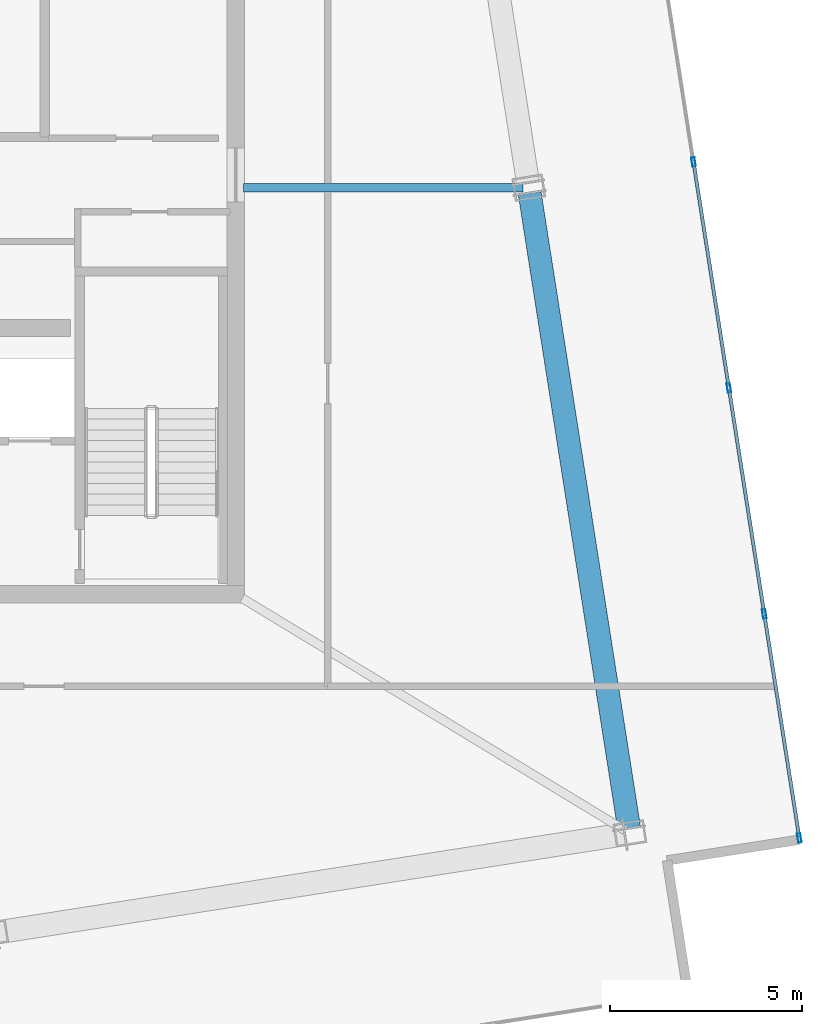
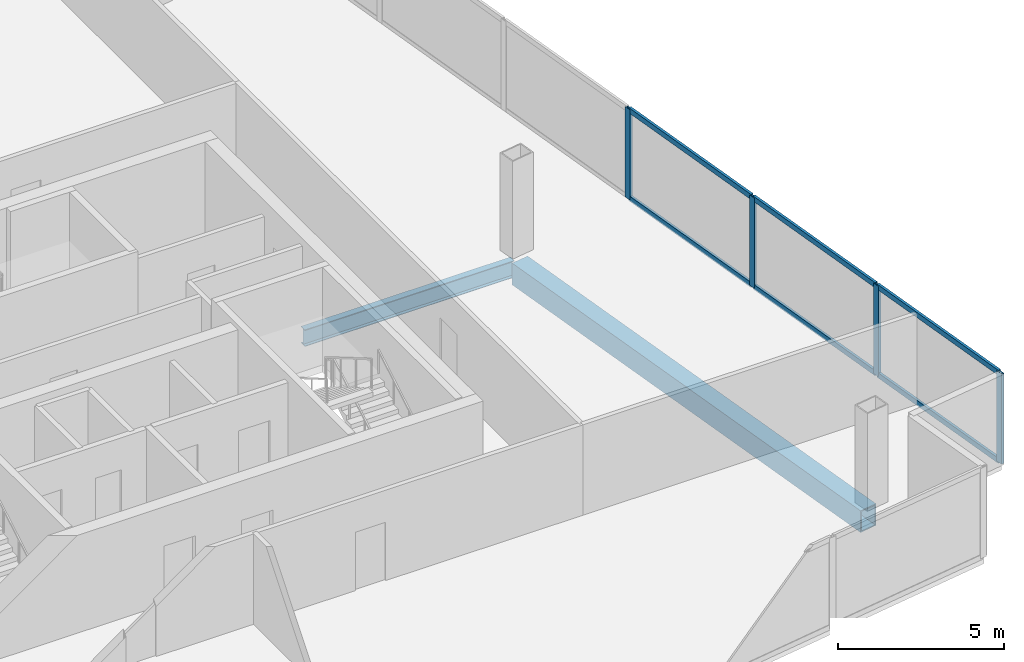
# One storey, part 7 of 17: 10 members, 2 beams, 1 element without a shape of its own.
"""IFC4 building model written with IfcOpenShell, lengths in metres."""

from ifc_helpers import new_model, si_unit, direction, frame, origin, origin_2d, place, context, subcontext, project, spatial, hollow_rectangle, i_section, extrude, material, material_profile, profile_set, type_object, element, aggregate, save


model = new_model("IFC4")

# Units and contexts
model_context = context("Model", 3, precision=1e-05, world=origin(), true_north=direction((0.0, 1.0)))
body_context = subcontext(model_context, "Body", "Model", "MODEL_VIEW")
ifc_project = project(units=[si_unit("LENGTHUNIT", "METRE"), si_unit("AREAUNIT", "SQUARE_METRE"), si_unit("VOLUMEUNIT", "CUBIC_METRE"), si_unit("PLANEANGLEUNIT", "RADIAN"), si_unit("MASSUNIT", "GRAM", prefix="KILO")], contexts=[model_context])

# Site, building, storey
site_placement = place(None, origin())
site = spatial("IfcSite", under=ifc_project, at=site_placement, CompositionType="ELEMENT")
building_placement = place(site_placement, origin())
building = spatial("IfcBuilding", under=site, at=building_placement, Name="Haldenkirk Collegiate Tower", CompositionType="ELEMENT")
storey_placement = place(building_placement, frame((0.0, 0.0, 367.800048828125)))
storey = spatial("IfcBuildingStorey", under=building, at=storey_placement, Name="L93", CompositionType="ELEMENT", Elevation=367.800048828125)

# Beams
ifc_material_1 = material(Name="Steel ASTM A992 Grade 50", Category="steel")
ifc_material_profile_1 = material_profile(ifc_material_1, i_section(OverallWidth=0.22998046875, OverallDepth=0.616943359375, WebThickness=0.01318359375, FlangeThickness=0.022216796875, at=origin_2d()), Name="W24X94")
ifc_profile_set_1 = profile_set([ifc_material_profile_1], Name="Steel ASTM A992 Grade 50")
beam_type_1 = type_object("IfcBeamType", Name="BM-GIRDER-W24X94", PredefinedType="BEAM", material=ifc_profile_set_1)
beam_1_placement = place(storey_placement, frame((52.4970703125, 28.60693359375, -0.57861328125), z_axis=(-1.0, 0.0, 0.0), x_axis=(0.0, -1.0, 0.0)))
element("IfcBeam", 1, at=beam_1_placement, inside=storey, type_object=beam_type_1, Name="L93 crown radial floor beam 2", PredefinedType="BEAM", context=body_context, shape_type="SweptSolid", body=[
    extrude(i_section(OverallWidth=0.22998046875, OverallDepth=0.616943359375, WebThickness=0.01318359375, FlangeThickness=0.022216796875, at=origin_2d()), origin(), (0.0, 0.0, 1.0), 7.297119140625),
])
ifc_material_2 = material(Name="Steel ASTM A572 Grade 50", Category="steel")
ifc_material_profile_2 = material_profile(ifc_material_2, hollow_rectangle(XDim=0.60009765625, YDim=0.800048828125, WallThickness=0.0400390625, at=origin_2d()), Name="BOX800X600X40")
ifc_profile_set_2 = profile_set([ifc_material_profile_2], Name="Steel ASTM A572 Grade 50")
beam_type_2 = type_object("IfcBeamType", Name="BM-SPANDREL-BOX800X600X40", PredefinedType="SPANDREL", material=ifc_profile_set_2)
beam_2_placement = place(storey_placement, frame((55.26171875, 11.910400390625, -0.670166015625), z_axis=(-0.154705009471, 0.987960707743, 0.0), x_axis=(-0.987960707743, -0.154705009471, 0.0)))
element("IfcBeam", 2, at=beam_2_placement, inside=storey, type_object=beam_type_2, Name="L93 Crown Ring Frame perimeter girder 1", PredefinedType="SPANDREL", context=body_context, shape_type="SweptSolid", body=[
    extrude(hollow_rectangle(XDim=0.60009765625, YDim=0.800048828125, WallThickness=0.0400390625, at=origin_2d()), origin(), (0.0, 0.0, 1.0), 16.75),
])

# Curtain wall, members
ifc_material_3 = material(Name="Anodised architectural bronze aluminium", Category="aluminium")
curtain_wall_type = type_object("IfcCurtainWallType", Name="CW-SYS6-CROWN", PredefinedType="USERDEFINED", material=ifc_material_3)
curtain_wall_placement = place(storey_placement, origin())
curtain_wall = element("IfcCurtainWall", 3, at=curtain_wall_placement, inside=storey, type_object=curtain_wall_type, Name="L93 Closed crown ring ceramic-fritted bronze screen curtain wall", ObjectType="UNITISED CURTAIN WALL", PredefinedType="USERDEFINED")
ifc_material_profile_3 = material_profile(ifc_material_3, hollow_rectangle(XDim=0.090087890625, YDim=0.239990234375, WallThickness=0.0048828125, at=origin_2d()), Name="CW-MUL-06")
ifc_profile_set_3 = profile_set([ifc_material_profile_3], Name="Anodised architectural bronze aluminium")
member_type_1 = type_object("IfcMemberType", Name="CW-MUL-06", PredefinedType="MULLION", material=ifc_profile_set_3)
member_1_placement = place(storey_placement, frame((56.94482421875, 29.27978515625, 0.0), z_axis=(0.0, 0.0, 1.0), x_axis=(0.987959532462, 0.154712514742, 0.0)))
member_1 = element("IfcMember", 4, at=member_1_placement, type_object=member_type_1, Name="CW-06 mullion 4", PredefinedType="MULLION", context=body_context, shape_type="SweptSolid", body=[
    extrude(hollow_rectangle(XDim=0.090087890625, YDim=0.239990234375, WallThickness=0.0048828125, at=origin_2d()), origin(), (0.0, 0.0, 1.0), 3.329833984375),
])
member_2_placement = place(storey_placement, frame((57.867919921875, 23.385009765625, 0.0), z_axis=(0.0, 0.0, 1.0), x_axis=(0.987959532462, 0.154712514742, 0.0)))
member_2 = element("IfcMember", 5, at=member_2_placement, type_object=member_type_1, Name="CW-06 mullion 5", PredefinedType="MULLION", context=body_context, shape_type="SweptSolid", body=[
    extrude(hollow_rectangle(XDim=0.090087890625, YDim=0.239990234375, WallThickness=0.0048828125, at=origin_2d()), origin(), (0.0, 0.0, 1.0), 3.329833984375),
])
member_3_placement = place(storey_placement, frame((58.791015625, 17.490234375, 0.0), z_axis=(0.0, 0.0, 1.0), x_axis=(0.987959532462, 0.154712514742, 0.0)))
member_3 = element("IfcMember", 6, at=member_3_placement, type_object=member_type_1, Name="CW-06 mullion 6", PredefinedType="MULLION", context=body_context, shape_type="SweptSolid", body=[
    extrude(hollow_rectangle(XDim=0.090087890625, YDim=0.239990234375, WallThickness=0.0048828125, at=origin_2d()), origin(), (0.0, 0.0, 1.0), 3.329833984375),
])
member_4_placement = place(storey_placement, frame((59.70703125, 11.639892578125, 0.0), z_axis=(0.0, 0.0, 1.0), x_axis=(0.987959532462, 0.154712514742, 0.0)))
member_4 = element("IfcMember", 7, at=member_4_placement, type_object=member_type_1, Name="CW-06 mullion 7", PredefinedType="MULLION", context=body_context, shape_type="SweptSolid", body=[
    extrude(hollow_rectangle(XDim=0.090087890625, YDim=0.239990234375, WallThickness=0.0048828125, at=origin_2d()), origin(), (0.0, 0.0, 1.0), 3.329833984375),
])
ifc_material_profile_4 = material_profile(ifc_material_3, hollow_rectangle(XDim=0.090087890625, YDim=0.18994140625, WallThickness=0.0048828125, at=origin_2d()), Name="CW-TRN-06")
ifc_profile_set_4 = profile_set([ifc_material_profile_4], Name="Anodised architectural bronze aluminium")
member_type_2 = type_object("IfcMemberType", Name="CW-TRN-06", PredefinedType="USERDEFINED", material=ifc_profile_set_4)
member_5_placement = place(storey_placement, frame((56.95166015625, 29.2353515625, 0.044921875), z_axis=(0.154710174658, -0.987959898912, 0.0), x_axis=(0.987959898912, 0.154710174658, 0.0)))
member_5 = element("IfcMember", 8, at=member_5_placement, type_object=member_type_2, Name="CW-06 transom 4.1", ObjectType="TRANSOM", PredefinedType="USERDEFINED", context=body_context, shape_type="SweptSolid", body=[
    extrude(hollow_rectangle(XDim=0.090087890625, YDim=0.18994140625, WallThickness=0.0048828125, at=origin_2d()), origin(), (0.0, 0.0, 1.0), 5.876708984375),
])
member_6_placement = place(storey_placement, frame((56.95166015625, 29.2353515625, 3.284912109375), z_axis=(0.154710174658, -0.987959898912, 0.0), x_axis=(0.987959898912, 0.154710174658, 0.0)))
member_6 = element("IfcMember", 9, at=member_6_placement, type_object=member_type_2, Name="CW-06 transom 4.2", ObjectType="TRANSOM", PredefinedType="USERDEFINED", context=body_context, shape_type="SweptSolid", body=[
    extrude(hollow_rectangle(XDim=0.090087890625, YDim=0.18994140625, WallThickness=0.0048828125, at=origin_2d()), origin(), (0.0, 0.0, 1.0), 5.876708984375),
])
member_7_placement = place(storey_placement, frame((57.874755859375, 23.340576171875, 0.044921875), z_axis=(0.154710174658, -0.987959898912, 0.0), x_axis=(0.987959898912, 0.154710174658, 0.0)))
member_7 = element("IfcMember", 10, at=member_7_placement, type_object=member_type_2, Name="CW-06 transom 5.1", ObjectType="TRANSOM", PredefinedType="USERDEFINED", context=body_context, shape_type="SweptSolid", body=[
    extrude(hollow_rectangle(XDim=0.090087890625, YDim=0.18994140625, WallThickness=0.0048828125, at=origin_2d()), origin(), (0.0, 0.0, 1.0), 5.876708984375),
])
member_8_placement = place(storey_placement, frame((57.874755859375, 23.340576171875, 3.284912109375), z_axis=(0.154710174658, -0.987959898912, 0.0), x_axis=(0.987959898912, 0.154710174658, 0.0)))
member_8 = element("IfcMember", 11, at=member_8_placement, type_object=member_type_2, Name="CW-06 transom 5.2", ObjectType="TRANSOM", PredefinedType="USERDEFINED", context=body_context, shape_type="SweptSolid", body=[
    extrude(hollow_rectangle(XDim=0.090087890625, YDim=0.18994140625, WallThickness=0.0048828125, at=origin_2d()), origin(), (0.0, 0.0, 1.0), 5.876708984375),
])
member_9_placement = place(storey_placement, frame((58.7978515625, 17.44580078125, 0.044921875), z_axis=(0.154730622105, -0.987956696714, 0.0), x_axis=(0.987956696714, 0.154730622105, 0.0)))
member_9 = element("IfcMember", 12, at=member_9_placement, type_object=member_type_2, Name="CW-06 transom 6.1", ObjectType="TRANSOM", PredefinedType="USERDEFINED", context=body_context, shape_type="SweptSolid", body=[
    extrude(hollow_rectangle(XDim=0.090087890625, YDim=0.18994140625, WallThickness=0.0048828125, at=origin_2d()), origin(), (0.0, 0.0, 1.0), 5.831787109375),
])
member_10_placement = place(storey_placement, frame((58.7978515625, 17.44580078125, 3.284912109375), z_axis=(0.154730622105, -0.987956696714, 0.0), x_axis=(0.987956696714, 0.154730622105, 0.0)))
member_10 = element("IfcMember", 13, at=member_10_placement, type_object=member_type_2, Name="CW-06 transom 6.2", ObjectType="TRANSOM", PredefinedType="USERDEFINED", context=body_context, shape_type="SweptSolid", body=[
    extrude(hollow_rectangle(XDim=0.090087890625, YDim=0.18994140625, WallThickness=0.0048828125, at=origin_2d()), origin(), (0.0, 0.0, 1.0), 5.831787109375),
])
aggregate(curtain_wall, [member_1, member_2, member_3, member_4, member_5, member_6, member_7, member_8, member_9, member_10])

save(model, "model.ifc")
